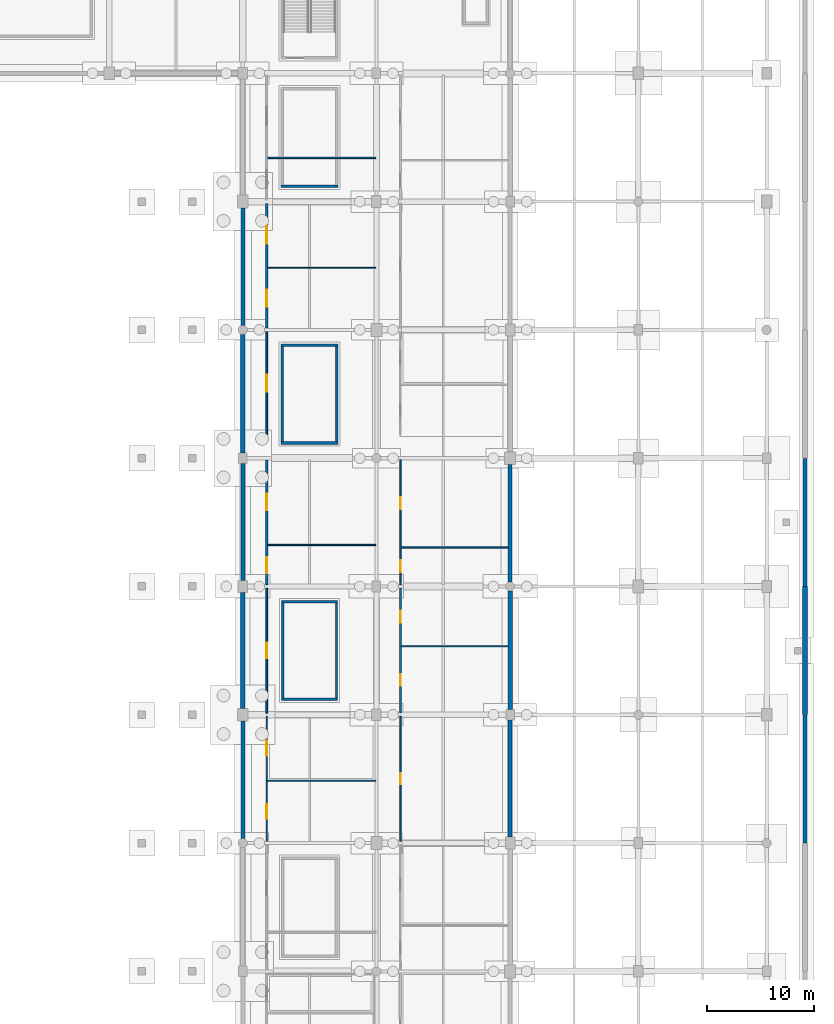
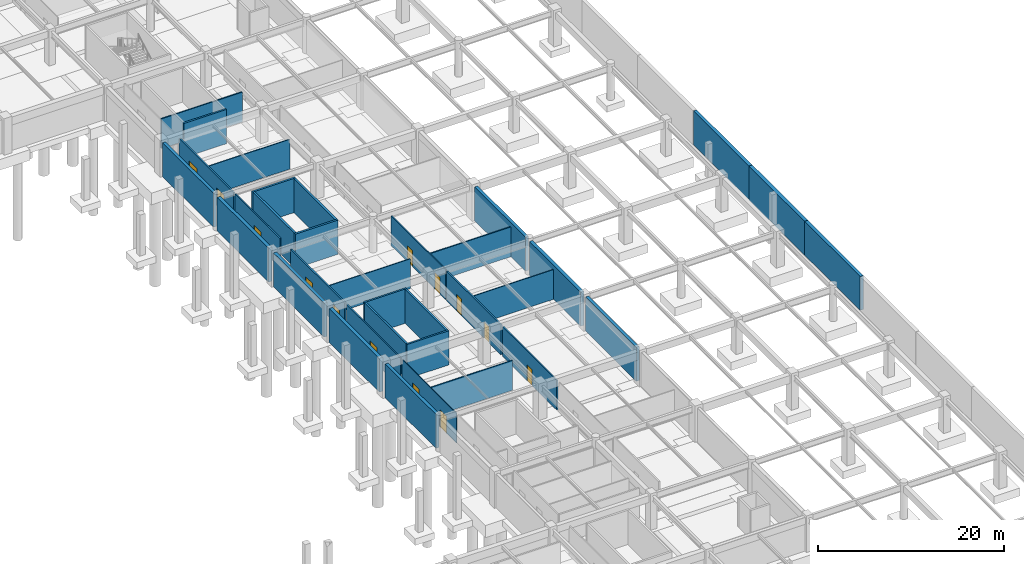
# One storey, part 32 of 56: 34 walls, 13 doors, 13 openings.
"""IFC4 building model written with IfcOpenShell, lengths in metres."""

from ifc_helpers import new_model, si_unit, direction, frame, frame_2d, origin, place, context, subcontext, project, spatial, rectangle, extrude, material, layer, layer_set, type_object, element, fill, save


model = new_model("IFC4")

# Units and contexts
model_context = context("Model", 3, precision=1e-05, world=origin(), true_north=direction((0.0, 1.0)))
body_context = subcontext(model_context, "Body", "Model", "MODEL_VIEW")
ifc_project = project(units=[si_unit("LENGTHUNIT", "METRE"), si_unit("AREAUNIT", "SQUARE_METRE"), si_unit("VOLUMEUNIT", "CUBIC_METRE"), si_unit("PLANEANGLEUNIT", "RADIAN"), si_unit("MASSUNIT", "GRAM", prefix="KILO")], contexts=[model_context])

# Site, building, storey
site_placement = place(None, origin())
site = spatial("IfcSite", under=ifc_project, at=site_placement, CompositionType="ELEMENT")
building_placement = place(site_placement, origin())
building = spatial("IfcBuilding", under=site, at=building_placement, Name="Kazenohara Klinker Stadium", CompositionType="ELEMENT")
storey_placement = place(building_placement, frame((0.0, 0.0, -4.800048828125)))
storey = spatial("IfcBuildingStorey", under=building, at=storey_placement, Name="B01", CompositionType="ELEMENT", Elevation=-4.800048828125)

# Walls
ifc_material_1 = material(Name="Concrete C40/50", Category="concrete")
ifc_layer_1 = layer(ifc_material_1, 0.39990234375)
ifc_layer_set_1 = layer_set([ifc_layer_1], Name="Concrete C40/50")
wall_type_1 = type_object("IfcWallType", Name="WAL-B01-PLINTH400", PredefinedType="USERDEFINED", material=ifc_layer_set_1)
for number, where, z_axis, x_axis, name in (
    (1, (227.580078125, 60.02001953125, 0.0), (0.0, 0.0, 1.0), (0.0, 1.0, 0.0), "Street plinth retaining wall RW04 East-06"),
    (2, (227.580078125, 84.02001953125, 0.0), (0.0, 0.0, 1.0), (0.0, 1.0, 0.0), "Street plinth retaining wall RW04 East-08"),
):
    element("IfcWall", number, at=place(storey_placement, frame(where, z_axis=z_axis, x_axis=x_axis)), inside=storey, type_object=wall_type_1, Name=name, ObjectType="RETAINING WALL", PredefinedType="USERDEFINED", context=body_context, shape_type="SweptSolid", body=[
        extrude(rectangle(XDim=11.9599609375, YDim=0.39990234375, at=frame_2d((5.97998046875, 0.0))), origin(), (0.0, 0.0, 1.0), 4.4599609375),
    ])
ifc_layer_2 = layer(ifc_material_1, 0.43994140625)
ifc_layer_set_2 = layer_set([ifc_layer_2], Name="Concrete C40/50")
wall_type_2 = type_object("IfcWallType", Name="WAL-B01-PLINTH440", PredefinedType="USERDEFINED", material=ifc_layer_set_2)
wall_1_placement = place(storey_placement, frame((227.580078125, 72.02001953125, 0.0), z_axis=(0.0, 0.0, 1.0), x_axis=(0.0, 1.0, 0.0)))
element("IfcWall", 3, at=wall_1_placement, inside=storey, type_object=wall_type_2, Name="Street plinth retaining wall RW03 East-07", ObjectType="RETAINING WALL", PredefinedType="USERDEFINED", context=body_context, shape_type="SweptSolid", body=[
    extrude(rectangle(XDim=11.9599609375, YDim=0.43994140625, at=frame_2d((5.97998046875, 0.0))), origin(), (0.0, 0.0, 1.0), 4.4599609375),
])
ifc_layer_3 = layer(ifc_material_1, 0.3798828125)
ifc_layer_set_3 = layer_set([ifc_layer_3], Name="Concrete C40/50")
wall_type_3 = type_object("IfcWallType", Name="WAL-B01-RET380", PredefinedType="STANDARD", material=ifc_layer_set_3)
wall_2_placement = place(storey_placement, frame((175.0, 60.428955078125, 0.0), z_axis=(0.0, 0.0, 1.0), x_axis=(0.0, 1.0, 0.0)))
element("IfcWall", 4, at=wall_2_placement, inside=storey, type_object=wall_type_3, Name="Basement perimeter retaining wall RW02 Y-14-05", PredefinedType="STANDARD", context=body_context, shape_type="SweptSolid", body=[
    extrude(rectangle(XDim=10.967041015625, YDim=0.3798828125, at=frame_2d((5.4833984375, 0.0))), origin(), (0.0, 0.0, 1.0), 4.4599609375),
])
wall_3_placement = place(storey_placement, frame((175.0, 84.553955078125, 0.0), z_axis=(0.0, 0.0, 1.0), x_axis=(0.0, 1.0, 0.0)))
element("IfcWall", 5, at=wall_3_placement, inside=storey, type_object=wall_type_3, Name="Basement perimeter retaining wall RW02 Y-14-07", PredefinedType="STANDARD", context=body_context, shape_type="SweptSolid", body=[
    extrude(rectangle(XDim=10.942138671875, YDim=0.3798828125, at=frame_2d((5.47119140625, 0.0))), origin(), (0.0, 0.0, 1.0), 4.4599609375),
])
wall_4_placement = place(storey_placement, frame((175.0, 108.428955078125, 0.0), z_axis=(0.0, 0.0, 1.0), x_axis=(0.0, 1.0, 0.0)))
element("IfcWall", 6, at=wall_4_placement, inside=storey, type_object=wall_type_3, Name="Basement perimeter retaining wall RW02 Y-14-09", PredefinedType="STANDARD", context=body_context, shape_type="SweptSolid", body=[
    extrude(rectangle(XDim=10.967041015625, YDim=0.3798828125, at=frame_2d((5.4833984375, 0.0))), origin(), (0.0, 0.0, 1.0), 4.4599609375),
])
wall_5_placement = place(storey_placement, frame((200.0, 60.553955078125, 0.0), z_axis=(0.0, 0.0, 1.0), x_axis=(0.0, 1.0, 0.0)))
element("IfcWall", 7, at=wall_5_placement, inside=storey, type_object=wall_type_3, Name="Basement perimeter retaining wall RW02 Y-16-05", PredefinedType="STANDARD", context=body_context, shape_type="SweptSolid", body=[
    extrude(rectangle(XDim=10.942138671875, YDim=0.3798828125, at=frame_2d((5.47119140625, 0.0))), origin(), (0.0, 0.0, 1.0), 4.4599609375),
])
wall_6_placement = place(storey_placement, frame((200.0, 84.428955078125, 0.0), z_axis=(0.0, 0.0, 1.0), x_axis=(0.0, 1.0, 0.0)))
element("IfcWall", 8, at=wall_6_placement, inside=storey, type_object=wall_type_3, Name="Basement perimeter retaining wall RW02 Y-16-07", PredefinedType="STANDARD", context=body_context, shape_type="SweptSolid", body=[
    extrude(rectangle(XDim=10.967041015625, YDim=0.3798828125, at=frame_2d((5.4833984375, 0.0))), origin(), (0.0, 0.0, 1.0), 4.4599609375),
])
ifc_layer_4 = layer(ifc_material_1, 0.419921875)
ifc_layer_set_4 = layer_set([ifc_layer_4], Name="Concrete C40/50")
wall_type_4 = type_object("IfcWallType", Name="WAL-B01-RET420", PredefinedType="STANDARD", material=ifc_layer_set_4)
wall_7_placement = place(storey_placement, frame((175.0, 72.60400390625, 0.0), z_axis=(0.0, 0.0, 1.0), x_axis=(0.0, 1.0, 0.0)))
element("IfcWall", 9, at=wall_7_placement, inside=storey, type_object=wall_type_4, Name="Basement perimeter retaining wall RW01 Y-14-06", PredefinedType="STANDARD", context=body_context, shape_type="SweptSolid", body=[
    extrude(rectangle(XDim=10.842041015625, YDim=0.419921875, at=frame_2d((5.4208984375, 0.0))), origin(), (0.0, 0.0, 1.0), 4.4599609375),
])
for number, where, z_axis, x_axis, name in (
    (10, (175.0, 96.50390625, 0.0), (0.0, 0.0, 1.0), (0.0, 1.0, 0.0), "Basement perimeter retaining wall RW01 Y-14-08"),
    (11, (200.0, 72.50390625, 0.0), (0.0, 0.0, 1.0), (0.0, 1.0, 0.0), "Basement perimeter retaining wall RW01 Y-16-06"),
):
    element("IfcWall", number, at=place(storey_placement, frame(where, z_axis=z_axis, x_axis=x_axis)), inside=storey, type_object=wall_type_4, Name=name, PredefinedType="STANDARD", context=body_context, shape_type="SweptSolid", body=[
        extrude(rectangle(XDim=11.067138671875, YDim=0.419921875, at=frame_2d((5.53369140625, 0.0))), origin(), (0.0, 0.0, 1.0), 4.4599609375),
    ])
ifc_layer_5 = layer(ifc_material_1, 0.22998046875)
ifc_layer_set_5 = layer_set([ifc_layer_5], Name="Concrete C40/50")
wall_type_5 = type_object("IfcWallType", Name="WAL-CORE-230", PredefinedType="SHEAR", material=ifc_layer_set_5)
for number, where, z_axis, x_axis, name in (
    (12, (178.6201171875, 73.43505859375, 0.0), (0.0, 0.0, 1.0), (1.0, 0.0, 0.0), "Stairwell shear wall ST22 B01 South"),
    (13, (178.6201171875, 82.56494140625, 0.0), (0.0, 0.0, 1.0), (1.0, 0.0, 0.0), "Stairwell shear wall ST22 B01 North"),
):
    element("IfcWall", number, at=place(storey_placement, frame(where, z_axis=z_axis, x_axis=x_axis)), inside=storey, type_object=wall_type_5, Name=name, PredefinedType="SHEAR", context=body_context, shape_type="SweptSolid", body=[
        extrude(rectangle(XDim=5.259765625, YDim=0.22998046875, at=frame_2d((2.6298828125, 0.0))), origin(), (0.0, 0.0, 1.0), 4.5),
    ])
for number, where, z_axis, x_axis, name in (
    (14, (178.735107421875, 73.550048828125, 0.0), (0.0, 0.0, 1.0), (0.0, 1.0, 0.0), "Stairwell shear wall ST22 B01 West"),
    (15, (183.764892578125, 73.550048828125, 0.0), (0.0, 0.0, 1.0), (0.0, 1.0, 0.0), "Stairwell shear wall ST22 B01 East"),
):
    element("IfcWall", number, at=place(storey_placement, frame(where, z_axis=z_axis, x_axis=x_axis)), inside=storey, type_object=wall_type_5, Name=name, PredefinedType="SHEAR", context=body_context, shape_type="SweptSolid", body=[
        extrude(rectangle(XDim=8.89990234375, YDim=0.22998046875, at=frame_2d((4.449951171875, 0.0))), origin(), (0.0, 0.0, 1.0), 4.5),
    ])
wall_8_placement = place(storey_placement, frame((178.590087890625, 121.43505859375, 0.0), z_axis=(0.0, 0.0, 1.0), x_axis=(1.0, 0.0, 0.0)))
element("IfcWall", 16, at=wall_8_placement, inside=storey, type_object=wall_type_5, Name="Stairwell shear wall ST24 B01 South", PredefinedType="SHEAR", context=body_context, shape_type="SweptSolid", body=[
    extrude(rectangle(XDim=5.31982421875, YDim=0.22998046875, at=frame_2d((2.659912109375, 0.0))), origin(), (0.0, 0.0, 1.0), 4.5),
])
ifc_layer_6 = layer(ifc_material_1, 0.25)
ifc_layer_set_6 = layer_set([ifc_layer_6], Name="Concrete C40/50")
wall_type_6 = type_object("IfcWallType", Name="WAL-CORE-250", PredefinedType="SHEAR", material=ifc_layer_set_6)
for number, where, z_axis, x_axis, name in (
    (17, (178.580078125, 97.425048828125, 0.0), (0.0, 0.0, 1.0), (1.0, 0.0, 0.0), "Stairwell shear wall ST23 B01 South"),
    (18, (178.580078125, 106.574951171875, 0.0), (0.0, 0.0, 1.0), (1.0, 0.0, 0.0), "Stairwell shear wall ST23 B01 North"),
):
    element("IfcWall", number, at=place(storey_placement, frame(where, z_axis=z_axis, x_axis=x_axis)), inside=storey, type_object=wall_type_6, Name=name, PredefinedType="SHEAR", context=body_context, shape_type="SweptSolid", body=[
        extrude(rectangle(XDim=5.33984375, YDim=0.25, at=frame_2d((2.669921875, 0.0))), origin(), (0.0, 0.0, 1.0), 4.5),
    ])
for number, where, z_axis, x_axis, name in (
    (19, (178.705078125, 97.550048828125, 0.0), (0.0, 0.0, 1.0), (0.0, 1.0, 0.0), "Stairwell shear wall ST23 B01 West"),
    (20, (183.794921875, 97.550048828125, 0.0), (0.0, 0.0, 1.0), (0.0, 1.0, 0.0), "Stairwell shear wall ST23 B01 East"),
):
    element("IfcWall", number, at=place(storey_placement, frame(where, z_axis=z_axis, x_axis=x_axis)), inside=storey, type_object=wall_type_6, Name=name, PredefinedType="SHEAR", context=body_context, shape_type="SweptSolid", body=[
        extrude(rectangle(XDim=8.89990234375, YDim=0.25, at=frame_2d((4.449951171875, 0.0))), origin(), (0.0, 0.0, 1.0), 4.5),
    ])

# Wall, openings, doors
ifc_material_2 = material(Name="Fire-rated gypsum board on acoustic studs", Category="gypsum")
ifc_layer_7 = layer(ifc_material_2, 0.110107421875)
ifc_layer_set_7 = layer_set([ifc_layer_7], Name="Fire-rated gypsum board on acoustic studs")
wall_type_7 = type_object("IfcWallType", Name="WAL-INT-P110", PredefinedType="PARTITIONING", material=ifc_layer_set_7)
wall_9_placement = place(storey_placement, frame((177.239990234375, 60.159912109375, 0.0), z_axis=(0.0, 0.0, 1.0), x_axis=(0.0, 1.0, 0.0)))
wall_9 = element("IfcWall", 21, at=wall_9_placement, inside=storey, type_object=wall_type_7, Name="Interior partition wall PT01 SPC-B01-14-05-1-1", PredefinedType="PARTITIONING", context=body_context, shape_type="SweptSolid", body=[
    extrude(rectangle(XDim=11.68017578125, YDim=0.110107421875, at=frame_2d((5.840087890625, 0.0))), origin(), (0.0, 0.0, 1.0), 3.920166015625),
])
opening_1_placement = place(wall_9_placement, frame((3.472412109375, 0.0, 0.0), z_axis=(0.0, 0.0, 1.0), x_axis=(-1.0, 0.0, 0.0)))
opening_1 = element("IfcOpeningElement", 22, at=opening_1_placement, cuts=wall_9, Name="Opening ID17", PredefinedType="OPENING", context=body_context, shape_type="SweptSolid", body=[
    extrude(rectangle(XDim=1.360107421875, YDim=2.25, at=frame_2d((0.68017578125, 1.125))), frame((0.0, 0.06494140625, 0.0), z_axis=(0.0, -1.0, 0.0), x_axis=(1.0, 0.0, 0.0)), (0.0, 0.0, 1.0), 0.130126953125),
])
opening_2_placement = place(wall_9_placement, frame((9.412353515625, 0.0, 0.0), z_axis=(0.0, 0.0, 1.0), x_axis=(-1.0, 0.0, 0.0)))
opening_2 = element("IfcOpeningElement", 23, at=opening_2_placement, cuts=wall_9, Name="Opening ID18", PredefinedType="OPENING", context=body_context, shape_type="SweptSolid", body=[
    extrude(rectangle(XDim=1.39990234375, YDim=2.239990234375, at=frame_2d((0.699951171875, 1.1201171875))), frame((0.0, 0.06494140625, 0.0), z_axis=(0.0, -1.0, 0.0), x_axis=(1.0, 0.0, 0.0)), (0.0, 0.0, 1.0), 0.130126953125),
])
ifc_material_3 = material(Name="Solid-core Hokkaido oak fire door", Category="wood")
door_type_1 = type_object("IfcDoorType", Name="DR-INT-17", OperationType="NOTDEFINED", PredefinedType="DOOR", material=ifc_material_3)
door_1_placement = place(opening_1_placement, origin())
door_1 = element("IfcDoor", 24, at=door_1_placement, inside=storey, type_object=door_type_1, Name="Interior door ID17 Doping Control Medical Laboratory B01-1405A", OperationType="SINGLE_SWING_RIGHT", OverallHeight=2.25, OverallWidth=1.360107421875, PredefinedType="DOOR", context=body_context, shape_type="SweptSolid", body=[
    extrude(rectangle(XDim=1.360107421875, YDim=2.25, at=frame_2d((0.68017578125, 1.125))), frame((0.0, 0.02490234375, 0.0), z_axis=(0.0, -1.0, 0.0), x_axis=(1.0, 0.0, 0.0)), (0.0, 0.0, 1.0), 0.050048828125),
])
fill(opening_1, door_1)
door_type_2 = type_object("IfcDoorType", Name="DR-INT-18", OperationType="NOTDEFINED", PredefinedType="DOOR", material=ifc_material_3)
door_2_placement = place(opening_2_placement, origin())
door_2 = element("IfcDoor", 25, at=door_2_placement, inside=storey, type_object=door_type_2, Name="Interior door ID18 First-Team Athlete Changing Room B01-1405B", OperationType="SINGLE_SWING_LEFT", OverallHeight=2.239990234375, OverallWidth=1.39990234375, PredefinedType="DOOR", context=body_context, shape_type="SweptSolid", body=[
    extrude(rectangle(XDim=1.39990234375, YDim=2.239990234375, at=frame_2d((0.699951171875, 1.1201171875))), frame((0.0, 0.02490234375, 0.0), z_axis=(0.0, -1.0, 0.0), x_axis=(1.0, 0.0, 0.0)), (0.0, 0.0, 1.0), 0.050048828125),
])
fill(opening_2, door_2)

# Walls
for number, where, z_axis, x_axis, name in (
    (26, (177.340087890625, 87.874267578125, 0.0), (0.0, 0.0, 1.0), (1.0, 0.0, 0.0), "Interior partition wall PT01 SPC-B01-14-07-1-2"),
    (27, (177.340087890625, 113.82470703125, 0.0), (0.0, 0.0, 1.0), (1.0, 0.0, 0.0), "Interior partition wall PT01 SPC-B01-14-09-1-2"),
):
    element("IfcWall", number, at=place(storey_placement, frame(where, z_axis=z_axis, x_axis=x_axis)), inside=storey, type_object=wall_type_7, Name=name, PredefinedType="PARTITIONING", context=body_context, shape_type="SweptSolid", body=[
        extrude(rectangle(XDim=10.079833984375, YDim=0.110107421875, at=frame_2d((5.0400390625, 0.0))), origin(), (0.0, 0.0, 1.0), 3.920166015625),
    ])
wall_10_placement = place(storey_placement, frame((189.840087890625, 78.40869140625, 0.0), z_axis=(0.0, 0.0, 1.0), x_axis=(1.0, 0.0, 0.0)))
element("IfcWall", 28, at=wall_10_placement, inside=storey, type_object=wall_type_7, Name="Interior partition wall PT01 SPC-B01-15-06-1-2", PredefinedType="PARTITIONING", context=body_context, shape_type="SweptSolid", body=[
    extrude(rectangle(XDim=9.947998046875, YDim=0.110107421875, at=frame_2d((4.97412109375, 0.0))), origin(), (0.0, 0.0, 1.0), 3.920166015625),
])
ifc_layer_8 = layer(ifc_material_2, 0.1201171875)
ifc_layer_set_8 = layer_set([ifc_layer_8], Name="Fire-rated gypsum board on acoustic studs")
wall_type_8 = type_object("IfcWallType", Name="WAL-INT-P120", PredefinedType="PARTITIONING", material=ifc_layer_set_8)
wall_11_placement = place(storey_placement, frame((177.300048828125, 65.82470703125, 0.0), z_axis=(0.0, 0.0, 1.0), x_axis=(1.0, 0.0, 0.0)))
element("IfcWall", 29, at=wall_11_placement, inside=storey, type_object=wall_type_8, Name="Interior partition wall PT02 SPC-B01-14-05-1-2", PredefinedType="PARTITIONING", context=body_context, shape_type="SweptSolid", body=[
    extrude(rectangle(XDim=10.119873046875, YDim=0.1201171875, at=frame_2d((5.06005859375, 0.0))), origin(), (0.0, 0.0, 1.0), 3.920166015625),
])

# Wall, openings, doors
ifc_layer_9 = layer(ifc_material_2, 0.139892578125)
ifc_layer_set_9 = layer_set([ifc_layer_9], Name="Fire-rated gypsum board on acoustic studs")
wall_type_9 = type_object("IfcWallType", Name="WAL-INT-P140", PredefinedType="PARTITIONING", material=ifc_layer_set_9)
wall_12_placement = place(storey_placement, frame((189.739990234375, 84.159912109375, 0.0), z_axis=(0.0, 0.0, 1.0), x_axis=(0.0, 1.0, 0.0)))
wall_12 = element("IfcWall", 30, at=wall_12_placement, inside=storey, type_object=wall_type_9, Name="Interior partition wall PT03 SPC-B01-15-07-1-1", PredefinedType="PARTITIONING", context=body_context, shape_type="SweptSolid", body=[
    extrude(rectangle(XDim=11.68017578125, YDim=0.139892578125, at=frame_2d((5.840087890625, 0.0))), origin(), (0.0, 0.0, 1.0), 3.920166015625),
])
opening_3_placement = place(wall_12_placement, frame((2.272216796875, 0.0, 0.0), z_axis=(0.0, 0.0, 1.0), x_axis=(-1.0, 0.0, 0.0)))
opening_3 = element("IfcOpeningElement", 31, at=opening_3_placement, cuts=wall_12, Name="Opening ID09", PredefinedType="OPENING", context=body_context, shape_type="SweptSolid", body=[
    extrude(rectangle(XDim=1.1201171875, YDim=2.179931640625, at=frame_2d((0.56005859375, 1.08984375))), frame((0.0, 0.080078125, 0.0), z_axis=(0.0, -1.0, 0.0), x_axis=(1.0, 0.0, 0.0)), (0.0, 0.0, 1.0), 0.159912109375),
])
opening_4_placement = place(wall_12_placement, frame((8.206787109375, 0.0, 0.0), z_axis=(0.0, 0.0, 1.0), x_axis=(-1.0, 0.0, 0.0)))
opening_4 = element("IfcOpeningElement", 32, at=opening_4_placement, cuts=wall_12, Name="Opening ID10", PredefinedType="OPENING", context=body_context, shape_type="SweptSolid", body=[
    extrude(rectangle(XDim=1.14990234375, YDim=2.14990234375, at=frame_2d((0.574951171875, 1.074951171875))), frame((0.0, 0.080078125, 0.0), z_axis=(0.0, -1.0, 0.0), x_axis=(1.0, 0.0, 0.0)), (0.0, 0.0, 1.0), 0.159912109375),
])
door_type_3 = type_object("IfcDoorType", Name="DR-INT-09", OperationType="NOTDEFINED", PredefinedType="DOOR", material=ifc_material_3)
door_3_placement = place(opening_3_placement, origin())
door_3 = element("IfcDoor", 33, at=door_3_placement, inside=storey, type_object=door_type_3, Name="Interior door ID09 Electrical Switchgear Plant B01-1507A", OperationType="SINGLE_SWING_RIGHT", OverallHeight=2.179931640625, OverallWidth=1.1201171875, PredefinedType="DOOR", context=body_context, shape_type="SweptSolid", body=[
    extrude(rectangle(XDim=1.1201171875, YDim=2.179931640625, at=frame_2d((0.56005859375, 1.08984375))), frame((0.0, 0.02490234375, 0.0), z_axis=(0.0, -1.0, 0.0), x_axis=(1.0, 0.0, 0.0)), (0.0, 0.0, 1.0), 0.050048828125),
])
fill(opening_3, door_3)
door_type_4 = type_object("IfcDoorType", Name="DR-INT-10", OperationType="NOTDEFINED", PredefinedType="DOOR", material=ifc_material_3)
door_4_placement = place(opening_4_placement, origin())
door_4 = element("IfcDoor", 34, at=door_4_placement, inside=storey, type_object=door_type_4, Name="Interior door ID10 Sports Hydrotherapy Recovery Clinic B01-1507B", OperationType="SINGLE_SWING_LEFT", OverallHeight=2.14990234375, OverallWidth=1.14990234375, PredefinedType="DOOR", context=body_context, shape_type="SweptSolid", body=[
    extrude(rectangle(XDim=1.14990234375, YDim=2.14990234375, at=frame_2d((0.574951171875, 1.074951171875))), frame((0.0, 0.02490234375, 0.0), z_axis=(0.0, -1.0, 0.0), x_axis=(1.0, 0.0, 0.0)), (0.0, 0.0, 1.0), 0.050048828125),
])
fill(opening_4, door_4)

# Wall, opening, door
ifc_layer_10 = layer(ifc_material_2, 0.14990234375)
ifc_layer_set_10 = layer_set([ifc_layer_10], Name="Fire-rated gypsum board on acoustic studs")
wall_type_10 = type_object("IfcWallType", Name="WAL-INT-P150", PredefinedType="PARTITIONING", material=ifc_layer_set_10)
wall_13_placement = place(storey_placement, frame((177.239990234375, 72.159912109375, 0.0), z_axis=(0.0, 0.0, 1.0), x_axis=(0.0, 1.0, 0.0)))
wall_13 = element("IfcWall", 35, at=wall_13_placement, inside=storey, type_object=wall_type_10, Name="Interior partition wall PT04 SPC-B01-14-06-1-1", PredefinedType="PARTITIONING", context=body_context, shape_type="SweptSolid", body=[
    extrude(rectangle(XDim=11.68017578125, YDim=0.14990234375, at=frame_2d((5.840087890625, 0.0))), origin(), (0.0, 0.0, 1.0), 3.920166015625),
])
opening_5_placement = place(wall_13_placement, frame((6.56005859375, 0.0, 0.0), z_axis=(0.0, 0.0, 1.0), x_axis=(-1.0, 0.0, 0.0)))
opening_5 = element("IfcOpeningElement", 36, at=opening_5_placement, cuts=wall_13, Name="Opening ID19", PredefinedType="OPENING", context=body_context, shape_type="SweptSolid", body=[
    extrude(rectangle(XDim=1.43994140625, YDim=2.260009765625, at=frame_2d((0.719970703125, 1.1298828125))), frame((0.0, 0.0849609375, 0.0), z_axis=(0.0, -1.0, 0.0), x_axis=(1.0, 0.0, 0.0)), (0.0, 0.0, 1.0), 0.169921875),
])
ifc_material_4 = material(Name="Painted steel plant fire door", Category="steel")
door_type_5 = type_object("IfcDoorType", Name="DR-INT-19", OperationType="NOTDEFINED", PredefinedType="DOOR", material=ifc_material_4)
door_5_placement = place(opening_5_placement, origin())
door_5 = element("IfcDoor", 37, at=door_5_placement, inside=storey, type_object=door_type_5, Name="Interior door ID19 Visiting-Club Athlete Changing Room B01-1406A", OperationType="SINGLE_SWING_RIGHT", OverallHeight=2.260009765625, OverallWidth=1.43994140625, PredefinedType="DOOR", context=body_context, shape_type="SweptSolid", body=[
    extrude(rectangle(XDim=1.43994140625, YDim=2.260009765625, at=frame_2d((0.719970703125, 1.1298828125))), frame((0.0, 0.02490234375, 0.0), z_axis=(0.0, -1.0, 0.0), x_axis=(1.0, 0.0, 0.0)), (0.0, 0.0, 1.0), 0.050048828125),
])
fill(opening_5, door_5)

wall_14_placement = place(storey_placement, frame((177.239990234375, 98.169921875, 0.0), z_axis=(0.0, 0.0, 1.0), x_axis=(0.0, 1.0, 0.0)))
wall_14 = element("IfcWall", 38, at=wall_14_placement, inside=storey, type_object=wall_type_10, Name="Interior partition wall PT04 SPC-B01-14-08-1-1", PredefinedType="PARTITIONING", context=body_context, shape_type="SweptSolid", body=[
    extrude(rectangle(XDim=9.670166015625, YDim=0.14990234375, at=frame_2d((4.8349609375, 0.0))), origin(), (0.0, 0.0, 1.0), 3.920166015625),
])
opening_6_placement = place(wall_14_placement, frame((5.614990234375, 0.0, 0.0), z_axis=(0.0, 0.0, 1.0), x_axis=(-1.0, 0.0, 0.0)))
opening_6 = element("IfcOpeningElement", 39, at=opening_6_placement, cuts=wall_14, Name="Opening ID22", PredefinedType="OPENING", context=body_context, shape_type="SweptSolid", body=[
    extrude(rectangle(XDim=1.56005859375, YDim=2.260009765625, at=frame_2d((0.780029296875, 1.1298828125))), frame((0.0, 0.0849609375, 0.0), z_axis=(0.0, -1.0, 0.0), x_axis=(1.0, 0.0, 0.0)), (0.0, 0.0, 1.0), 0.169921875),
])
door_type_6 = type_object("IfcDoorType", Name="DR-INT-22", OperationType="NOTDEFINED", PredefinedType="DOOR", material=ifc_material_4)
door_6_placement = place(opening_6_placement, origin())
door_6 = element("IfcDoor", 40, at=door_6_placement, inside=storey, type_object=door_type_6, Name="Interior door ID22 First-Team Athlete Changing Room B01-1408A", OperationType="SINGLE_SWING_LEFT", OverallHeight=2.260009765625, OverallWidth=1.56005859375, PredefinedType="DOOR", context=body_context, shape_type="SweptSolid", body=[
    extrude(rectangle(XDim=1.56005859375, YDim=2.260009765625, at=frame_2d((0.780029296875, 1.1298828125))), frame((0.0, 0.02490234375, 0.0), z_axis=(0.0, -1.0, 0.0), x_axis=(1.0, 0.0, 0.0)), (0.0, 0.0, 1.0), 0.050048828125),
])
fill(opening_6, door_6)

# Wall
wall_15_placement = place(storey_placement, frame((177.31494140625, 124.08447265625, 0.0), z_axis=(0.0, 0.0, 1.0), x_axis=(1.0, 0.0, 0.0)))
element("IfcWall", 41, at=wall_15_placement, inside=storey, type_object=wall_type_10, Name="Interior partition wall PT04 SPC-B01-14-10-1-2", PredefinedType="PARTITIONING", context=body_context, shape_type="SweptSolid", body=[
    extrude(rectangle(XDim=10.10498046875, YDim=0.14990234375, at=frame_2d((5.052490234375, 0.0))), origin(), (0.0, 0.0, 1.0), 3.920166015625),
])

# Wall, opening, door
wall_16_placement = place(storey_placement, frame((189.739990234375, 60.159912109375, 0.0), z_axis=(0.0, 0.0, 1.0), x_axis=(0.0, 1.0, 0.0)))
wall_16 = element("IfcWall", 42, at=wall_16_placement, inside=storey, type_object=wall_type_10, Name="Interior partition wall PT04 SPC-B01-15-05-1-1", PredefinedType="PARTITIONING", context=body_context, shape_type="SweptSolid", body=[
    extrude(rectangle(XDim=11.68017578125, YDim=0.14990234375, at=frame_2d((5.840087890625, 0.0))), origin(), (0.0, 0.0, 1.0), 3.920166015625),
])
opening_7_placement = place(wall_16_placement, frame((6.35498046875, 0.0, 0.0), z_axis=(0.0, 0.0, 1.0), x_axis=(-1.0, 0.0, 0.0)))
opening_7 = element("IfcOpeningElement", 43, at=opening_7_placement, cuts=wall_16, Name="Opening ID06", PredefinedType="OPENING", context=body_context, shape_type="SweptSolid", body=[
    extrude(rectangle(XDim=1.030029296875, YDim=2.1201171875, at=frame_2d((0.51513671875, 1.06005859375))), frame((0.0, 0.0849609375, 0.0), z_axis=(0.0, -1.0, 0.0), x_axis=(1.0, 0.0, 0.0)), (0.0, 0.0, 1.0), 0.169921875),
])
door_type_7 = type_object("IfcDoorType", Name="DR-INT-06", OperationType="NOTDEFINED", PredefinedType="DOOR", material=ifc_material_3)
door_7_placement = place(opening_7_placement, origin())
door_7 = element("IfcDoor", 44, at=door_7_placement, inside=storey, type_object=door_type_7, Name="Interior door ID06 Match Officials Dressing Room B01-1505A", OperationType="SINGLE_SWING_LEFT", OverallHeight=2.1201171875, OverallWidth=1.030029296875, PredefinedType="DOOR", context=body_context, shape_type="SweptSolid", body=[
    extrude(rectangle(XDim=1.030029296875, YDim=2.1201171875, at=frame_2d((0.51513671875, 1.06005859375))), frame((0.0, 0.02490234375, 0.0), z_axis=(0.0, -1.0, 0.0), x_axis=(1.0, 0.0, 0.0)), (0.0, 0.0, 1.0), 0.050048828125),
])
fill(opening_7, door_7)

# Wall
wall_17_placement = place(storey_placement, frame((189.81494140625, 87.6640625, 0.0), z_axis=(0.0, 0.0, 1.0), x_axis=(1.0, 0.0, 0.0)))
element("IfcWall", 45, at=wall_17_placement, inside=storey, type_object=wall_type_10, Name="Interior partition wall PT04 SPC-B01-15-07-1-2", PredefinedType="PARTITIONING", context=body_context, shape_type="SweptSolid", body=[
    extrude(rectangle(XDim=9.9931640625, YDim=0.14990234375, at=frame_2d((4.99658203125, 0.0))), origin(), (0.0, 0.0, 1.0), 3.920166015625),
])

# Wall, openings, doors
ifc_layer_11 = layer(ifc_material_2, 0.18994140625)
ifc_layer_set_11 = layer_set([ifc_layer_11], Name="Fire-rated gypsum board on acoustic studs")
wall_type_11 = type_object("IfcWallType", Name="WAL-INT-P190", PredefinedType="PARTITIONING", material=ifc_layer_set_11)
wall_18_placement = place(storey_placement, frame((177.239990234375, 84.159912109375, 0.0), z_axis=(0.0, 0.0, 1.0), x_axis=(0.0, 1.0, 0.0)))
wall_18 = element("IfcWall", 46, at=wall_18_placement, inside=storey, type_object=wall_type_11, Name="Interior partition wall PT06 SPC-B01-14-07-1-1", PredefinedType="PARTITIONING", context=body_context, shape_type="SweptSolid", body=[
    extrude(rectangle(XDim=11.68017578125, YDim=0.18994140625, at=frame_2d((5.840087890625, 0.0))), origin(), (0.0, 0.0, 1.0), 3.920166015625),
])
opening_8_placement = place(wall_18_placement, frame((2.55712890625, 0.0, 0.0), z_axis=(0.0, 0.0, 1.0), x_axis=(-1.0, 0.0, 0.0)))
opening_8 = element("IfcOpeningElement", 47, at=opening_8_placement, cuts=wall_18, Name="Opening ID20", PredefinedType="OPENING", context=body_context, shape_type="SweptSolid", body=[
    extrude(rectangle(XDim=1.47998046875, YDim=2.239990234375, at=frame_2d((0.739990234375, 1.1201171875))), frame((0.0, 0.10498046875, 0.0), z_axis=(0.0, -1.0, 0.0), x_axis=(1.0, 0.0, 0.0)), (0.0, 0.0, 1.0), 0.2099609375),
])
opening_9_placement = place(wall_18_placement, frame((8.4970703125, 0.0, 0.0), z_axis=(0.0, 0.0, 1.0), x_axis=(-1.0, 0.0, 0.0)))
opening_9 = element("IfcOpeningElement", 48, at=opening_9_placement, cuts=wall_18, Name="Opening ID21", PredefinedType="OPENING", context=body_context, shape_type="SweptSolid", body=[
    extrude(rectangle(XDim=1.52001953125, YDim=2.280029296875, at=frame_2d((0.760009765625, 1.14013671875))), frame((0.0, 0.10498046875, 0.0), z_axis=(0.0, -1.0, 0.0), x_axis=(1.0, 0.0, 0.0)), (0.0, 0.0, 1.0), 0.2099609375),
])
door_type_8 = type_object("IfcDoorType", Name="DR-INT-20", OperationType="NOTDEFINED", PredefinedType="DOOR", material=ifc_material_4)
door_8_placement = place(opening_8_placement, origin())
door_8 = element("IfcDoor", 49, at=door_8_placement, inside=storey, type_object=door_type_8, Name="Interior door ID20 District Heating Substation Plant B01-1407A", OperationType="SINGLE_SWING_LEFT", OverallHeight=2.239990234375, OverallWidth=1.47998046875, PredefinedType="DOOR", context=body_context, shape_type="SweptSolid", body=[
    extrude(rectangle(XDim=1.47998046875, YDim=2.239990234375, at=frame_2d((0.739990234375, 1.1201171875))), frame((0.0, 0.02490234375, 0.0), z_axis=(0.0, -1.0, 0.0), x_axis=(1.0, 0.0, 0.0)), (0.0, 0.0, 1.0), 0.050048828125),
])
fill(opening_8, door_8)
door_type_9 = type_object("IfcDoorType", Name="DR-INT-21", OperationType="NOTDEFINED", PredefinedType="DOOR", material=ifc_material_4)
door_9_placement = place(opening_9_placement, origin())
door_9 = element("IfcDoor", 50, at=door_9_placement, inside=storey, type_object=door_type_9, Name="Interior door ID21 Match Officials Dressing Room B01-1407B", OperationType="SINGLE_SWING_RIGHT", OverallHeight=2.280029296875, OverallWidth=1.52001953125, PredefinedType="DOOR", context=body_context, shape_type="SweptSolid", body=[
    extrude(rectangle(XDim=1.52001953125, YDim=2.280029296875, at=frame_2d((0.760009765625, 1.14013671875))), frame((0.0, 0.02490234375, 0.0), z_axis=(0.0, -1.0, 0.0), x_axis=(1.0, 0.0, 0.0)), (0.0, 0.0, 1.0), 0.050048828125),
])
fill(opening_9, door_9)

wall_19_placement = place(storey_placement, frame((177.239990234375, 108.159912109375, 0.0), z_axis=(0.0, 0.0, 1.0), x_axis=(0.0, 1.0, 0.0)))
wall_19 = element("IfcWall", 51, at=wall_19_placement, inside=storey, type_object=wall_type_11, Name="Interior partition wall PT06 SPC-B01-14-09-1-1", PredefinedType="PARTITIONING", context=body_context, shape_type="SweptSolid", body=[
    extrude(rectangle(XDim=11.68017578125, YDim=0.18994140625, at=frame_2d((5.840087890625, 0.0))), origin(), (0.0, 0.0, 1.0), 3.920166015625),
])
opening_10_placement = place(wall_19_placement, frame((3.592529296875, 0.0, 0.0), z_axis=(0.0, 0.0, 1.0), x_axis=(-1.0, 0.0, 0.0)))
opening_10 = element("IfcOpeningElement", 52, at=opening_10_placement, cuts=wall_19, Name="Opening ID23", PredefinedType="OPENING", context=body_context, shape_type="SweptSolid", body=[
    extrude(rectangle(XDim=1.60009765625, YDim=2.300048828125, at=frame_2d((0.800048828125, 1.14990234375))), frame((0.0, 0.10498046875, 0.0), z_axis=(0.0, -1.0, 0.0), x_axis=(1.0, 0.0, 0.0)), (0.0, 0.0, 1.0), 0.2099609375),
])
opening_11_placement = place(wall_19_placement, frame((9.537353515625, 0.0, 0.0), z_axis=(0.0, 0.0, 1.0), x_axis=(-1.0, 0.0, 0.0)))
opening_11 = element("IfcOpeningElement", 53, at=opening_11_placement, cuts=wall_19, Name="Opening ID24", PredefinedType="OPENING", context=body_context, shape_type="SweptSolid", body=[
    extrude(rectangle(XDim=1.64990234375, YDim=2.280029296875, at=frame_2d((0.824951171875, 1.14013671875))), frame((0.0, 0.10498046875, 0.0), z_axis=(0.0, -1.0, 0.0), x_axis=(1.0, 0.0, 0.0)), (0.0, 0.0, 1.0), 0.2099609375),
])
door_type_10 = type_object("IfcDoorType", Name="DR-INT-23", OperationType="NOTDEFINED", PredefinedType="DOOR", material=ifc_material_4)
door_10_placement = place(opening_10_placement, origin())
door_10 = element("IfcDoor", 54, at=door_10_placement, inside=storey, type_object=door_type_10, Name="Interior door ID23 Sports Hydrotherapy Recovery Clinic B01-1409A", OperationType="SINGLE_SWING_RIGHT", OverallHeight=2.300048828125, OverallWidth=1.60009765625, PredefinedType="DOOR", context=body_context, shape_type="SweptSolid", body=[
    extrude(rectangle(XDim=1.60009765625, YDim=2.300048828125, at=frame_2d((0.800048828125, 1.14990234375))), frame((0.0, 0.02490234375, 0.0), z_axis=(0.0, -1.0, 0.0), x_axis=(1.0, 0.0, 0.0)), (0.0, 0.0, 1.0), 0.050048828125),
])
fill(opening_10, door_10)
door_type_11 = type_object("IfcDoorType", Name="DR-INT-24", OperationType="NOTDEFINED", PredefinedType="DOOR", material=ifc_material_4)
door_11_placement = place(opening_11_placement, origin())
door_11 = element("IfcDoor", 55, at=door_11_placement, inside=storey, type_object=door_type_11, Name="Interior door ID24 Doping Control Medical Laboratory B01-1409B", OperationType="SINGLE_SWING_LEFT", OverallHeight=2.280029296875, OverallWidth=1.64990234375, PredefinedType="DOOR", context=body_context, shape_type="SweptSolid", body=[
    extrude(rectangle(XDim=1.64990234375, YDim=2.280029296875, at=frame_2d((0.824951171875, 1.14013671875))), frame((0.0, 0.02490234375, 0.0), z_axis=(0.0, -1.0, 0.0), x_axis=(1.0, 0.0, 0.0)), (0.0, 0.0, 1.0), 0.050048828125),
])
fill(opening_11, door_11)

wall_20_placement = place(storey_placement, frame((189.739990234375, 72.159912109375, 0.0), z_axis=(0.0, 0.0, 1.0), x_axis=(0.0, 1.0, 0.0)))
wall_20 = element("IfcWall", 56, at=wall_20_placement, inside=storey, type_object=wall_type_11, Name="Interior partition wall PT06 SPC-B01-15-06-1-1", PredefinedType="PARTITIONING", context=body_context, shape_type="SweptSolid", body=[
    extrude(rectangle(XDim=11.68017578125, YDim=0.18994140625, at=frame_2d((5.840087890625, 0.0))), origin(), (0.0, 0.0, 1.0), 3.920166015625),
])
opening_12_placement = place(wall_20_placement, frame((3.614501953125, 0.0, 0.0), z_axis=(0.0, 0.0, 1.0), x_axis=(-1.0, 0.0, 0.0)))
opening_12 = element("IfcOpeningElement", 57, at=opening_12_placement, cuts=wall_20, Name="Opening ID07", PredefinedType="OPENING", context=body_context, shape_type="SweptSolid", body=[
    extrude(rectangle(XDim=1.06005859375, YDim=2.14990234375, at=frame_2d((0.530029296875, 1.074951171875))), frame((0.0, 0.10498046875, 0.0), z_axis=(0.0, -1.0, 0.0), x_axis=(1.0, 0.0, 0.0)), (0.0, 0.0, 1.0), 0.2099609375),
])
opening_13_placement = place(wall_20_placement, frame((9.549560546875, 0.0, 0.0), z_axis=(0.0, 0.0, 1.0), x_axis=(-1.0, 0.0, 0.0)))
opening_13 = element("IfcOpeningElement", 58, at=opening_13_placement, cuts=wall_20, Name="Opening ID08", PredefinedType="OPENING", context=body_context, shape_type="SweptSolid", body=[
    extrude(rectangle(XDim=1.090087890625, YDim=2.159912109375, at=frame_2d((0.544921875, 1.080078125))), frame((0.0, 0.10498046875, 0.0), z_axis=(0.0, -1.0, 0.0), x_axis=(1.0, 0.0, 0.0)), (0.0, 0.0, 1.0), 0.2099609375),
])
door_type_12 = type_object("IfcDoorType", Name="DR-INT-07", OperationType="NOTDEFINED", PredefinedType="DOOR", material=ifc_material_3)
door_12_placement = place(opening_12_placement, origin())
door_12 = element("IfcDoor", 59, at=door_12_placement, inside=storey, type_object=door_type_12, Name="Interior door ID07 First-Team Athlete Changing Room B01-1506A", OperationType="SINGLE_SWING_RIGHT", OverallHeight=2.14990234375, OverallWidth=1.06005859375, PredefinedType="DOOR", context=body_context, shape_type="SweptSolid", body=[
    extrude(rectangle(XDim=1.06005859375, YDim=2.14990234375, at=frame_2d((0.530029296875, 1.074951171875))), frame((0.0, 0.02490234375, 0.0), z_axis=(0.0, -1.0, 0.0), x_axis=(1.0, 0.0, 0.0)), (0.0, 0.0, 1.0), 0.050048828125),
])
fill(opening_12, door_12)
door_type_13 = type_object("IfcDoorType", Name="DR-INT-08", OperationType="NOTDEFINED", PredefinedType="DOOR", material=ifc_material_3)
door_13_placement = place(opening_13_placement, origin())
door_13 = element("IfcDoor", 60, at=door_13_placement, inside=storey, type_object=door_type_13, Name="Interior door ID08 Indoor Turf Sprint Training Arena B01-1506B", OperationType="SINGLE_SWING_LEFT", OverallHeight=2.159912109375, OverallWidth=1.090087890625, PredefinedType="DOOR", context=body_context, shape_type="SweptSolid", body=[
    extrude(rectangle(XDim=1.090087890625, YDim=2.159912109375, at=frame_2d((0.544921875, 1.080078125))), frame((0.0, 0.02490234375, 0.0), z_axis=(0.0, -1.0, 0.0), x_axis=(1.0, 0.0, 0.0)), (0.0, 0.0, 1.0), 0.050048828125),
])
fill(opening_13, door_13)

save(model, "model.ifc")
